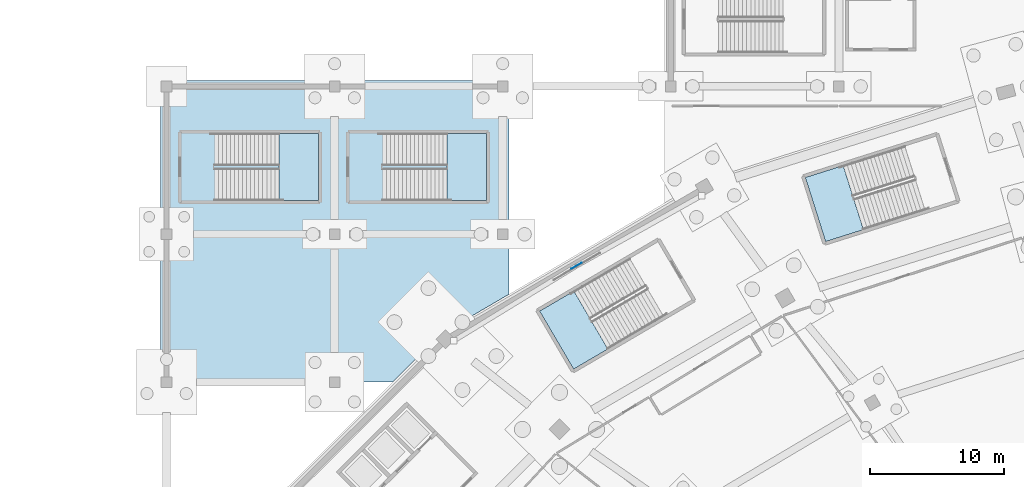
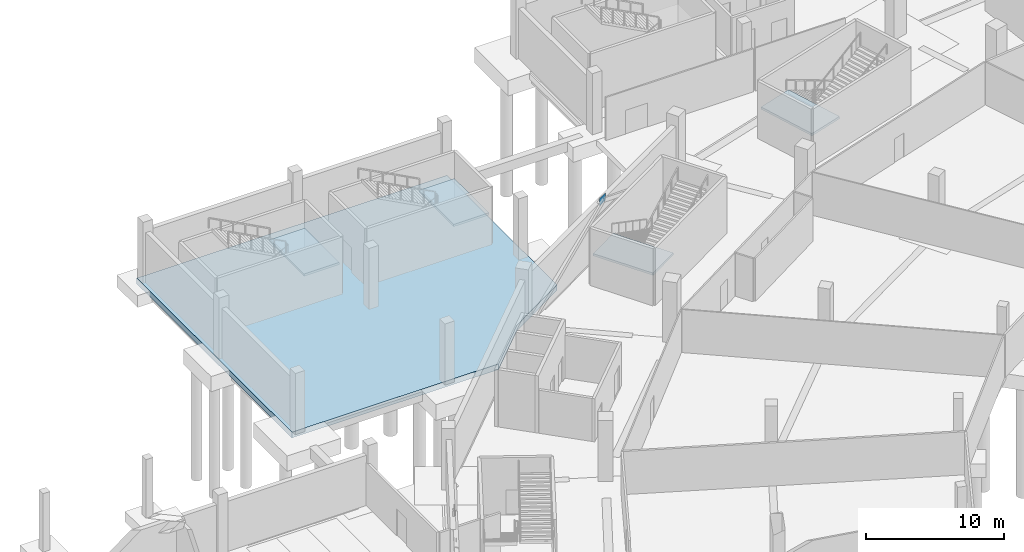
# One storey, part 26 of 74: 5 slabs, 1 plate, 4 elements without a shape of their own.
"""IFC4 building model written with IfcOpenShell, lengths in metres."""

from ifc_helpers import new_model, si_unit, direction, frame, origin, origin_2d, place, context, subcontext, project, spatial, polyline, rectangle, outline, extrude, material, layer, layer_set, type_object, element, aggregate, save


model = new_model("IFC4")

# Units and contexts
model_context = context("Model", 3, precision=1e-05, world=origin(), true_north=direction((0.0, 1.0)))
body_context = subcontext(model_context, "Body", "Model", "MODEL_VIEW")
ifc_project = project(units=[si_unit("LENGTHUNIT", "METRE"), si_unit("AREAUNIT", "SQUARE_METRE"), si_unit("VOLUMEUNIT", "CUBIC_METRE"), si_unit("PLANEANGLEUNIT", "RADIAN"), si_unit("MASSUNIT", "GRAM", prefix="KILO")], contexts=[model_context])

# Site, building, storey
site_placement = place(None, origin())
site = spatial("IfcSite", under=ifc_project, at=site_placement, CompositionType="ELEMENT")
building_placement = place(site_placement, origin())
building = spatial("IfcBuilding", under=site, at=building_placement, Name="Zlatoyarsky Gate Stadium", CompositionType="ELEMENT")
storey_placement = place(building_placement, frame((0.0, 0.0, -5.39990234375)))
storey = spatial("IfcBuildingStorey", under=building, at=storey_placement, Name="B1", CompositionType="ELEMENT", Elevation=-5.39990234375)

# Slab
ifc_material_1 = material(Name="Concrete C35/45", Category="concrete")
ifc_layer_1 = layer(ifc_material_1, 0.5)
ifc_layer_set_1 = layer_set([ifc_layer_1], Name="Concrete C35/45")
slab_type_1 = type_object("IfcSlabType", Name="CONCRETE BASE SLAB 500", PredefinedType="BASESLAB", material=ifc_layer_set_1)
slab_1_placement = place(storey_placement, frame((0.0, 0.0, -0.5)))
element("IfcSlab", 1, at=slab_1_placement, inside=storey, type_object=slab_type_1, Name="B1 wing V6_NW slab", PredefinedType="BASESLAB", context=body_context, shape_type="SweptSolid", body=[
    extrude(outline(polyline([(49.949951171875, 149.449951171875), (49.949951171875, 133.52978515625), (44.885498046875, 130.55810546875), (41.315185546875, 127.0), (24.050048828125, 127.0), (24.050048828125, 149.449951171875), (49.949951171875, 149.449951171875)])), origin(), (0.0, 0.0, 1.0), 0.5),
])

# Stair, slab
ifc_material_2 = material(Name="Concrete C40/50", Category="concrete")
stair_type = type_object("IfcStairType", Name="CONCRETE DOGLEG EXIT STAIR H5400", PredefinedType="TWO_STRAIGHT_RUN_STAIR", material=ifc_material_2)
stair_1_placement = place(storey_placement, origin())
stair_1 = element("IfcStair", 2, at=stair_1_placement, inside=storey, type_object=stair_type, Name="B1 Exit Stair ST-05", PredefinedType="TWO_STRAIGHT_RUN_STAIR")
ifc_layer_2 = layer(ifc_material_2, 0.199951171875)
ifc_layer_set_2 = layer_set([ifc_layer_2], Name="Concrete C40/50")
slab_type_2 = type_object("IfcSlabType", Name="CONCRETE STAIR LANDING SLAB 200", PredefinedType="LANDING", material=ifc_layer_set_2)
slab_2_placement = place(storey_placement, frame((0.0, 0.0, 2.5)))
slab_2 = element("IfcSlab", 3, at=slab_2_placement, type_object=slab_type_2, Name="ST-DG54 landing 1", PredefinedType="LANDING", context=body_context, shape_type="SweptSolid", body=[
    extrude(outline(polyline([(54.792724609375, 133.778076171875), (52.247314453125, 132.287109375), (54.774658203125, 127.972900390625), (57.320068359375, 129.4638671875), (54.792724609375, 133.778076171875)])), origin(), (0.0, 0.0, 1.0), 0.199951171875),
])
aggregate(stair_1, [slab_2])

stair_2_placement = place(storey_placement, origin())
stair_2 = element("IfcStair", 4, at=stair_2_placement, inside=storey, type_object=stair_type, Name="B1 Exit Stair ST-14", PredefinedType="TWO_STRAIGHT_RUN_STAIR")
slab_3_placement = place(storey_placement, frame((0.0, 0.0, 2.5)))
slab_3 = element("IfcSlab", 5, at=slab_3_placement, type_object=slab_type_2, Name="ST-DG54 landing 1", PredefinedType="LANDING", context=body_context, shape_type="SweptSolid", body=[
    extrude(outline(polyline([(74.823486328125, 143.114990234375), (72.0107421875, 142.2255859375), (73.518310546875, 137.458251953125), (76.3310546875, 138.34765625), (74.823486328125, 143.114990234375)])), origin(), (0.0, 0.0, 1.0), 0.199951171875),
])
aggregate(stair_2, [slab_3])

stair_3_placement = place(storey_placement, origin())
stair_3 = element("IfcStair", 6, at=stair_3_placement, inside=storey, type_object=stair_type, Name="B1 Exit Stair ST-25", PredefinedType="TWO_STRAIGHT_RUN_STAIR")
slab_4_placement = place(storey_placement, frame((0.0, 0.0, 2.5)))
slab_4 = element("IfcSlab", 7, at=slab_4_placement, type_object=slab_type_2, Name="ST-DG54 landing 1", PredefinedType="LANDING", context=body_context, shape_type="SweptSolid", body=[
    extrude(outline(polyline([(32.85009765625, 140.5), (35.800048828125, 140.5), (35.800048828125, 145.5), (32.85009765625, 145.5), (32.85009765625, 140.5)])), origin(), (0.0, 0.0, 1.0), 0.199951171875),
])
aggregate(stair_3, [slab_4])

stair_4_placement = place(storey_placement, origin())
stair_4 = element("IfcStair", 8, at=stair_4_placement, inside=storey, type_object=stair_type, Name="B1 Exit Stair ST-26", PredefinedType="TWO_STRAIGHT_RUN_STAIR")
slab_5_placement = place(storey_placement, frame((0.0, 0.0, 2.5)))
slab_5 = element("IfcSlab", 9, at=slab_5_placement, type_object=slab_type_2, Name="ST-DG54 landing 1", PredefinedType="LANDING", context=body_context, shape_type="SweptSolid", body=[
    extrude(outline(polyline([(45.35009765625, 140.5), (48.300048828125, 140.5), (48.300048828125, 145.5), (45.35009765625, 145.5), (45.35009765625, 140.5)])), origin(), (0.0, 0.0, 1.0), 0.199951171875),
])
aggregate(stair_4, [slab_5])

# Plate
ifc_material_3 = material(Name="Steel S355", Category="steel")
ifc_layer_3 = layer(ifc_material_3, 0.02001953125)
ifc_layer_set_3 = layer_set([ifc_layer_3], Name="Steel S355")
plate_type = type_object("IfcPlateType", Name="STEEL BRACE GUSSET PLATE 20", PredefinedType="USERDEFINED", material=ifc_layer_set_3)
plate_placement = place(storey_placement, frame((54.980712890625, 135.656494140625, 4.155029296875), z_axis=(0.0, 0.0, 1.0), x_axis=(-0.862847886208, -0.505463673537, 0.0)))
element("IfcPlate", 10, at=plate_placement, inside=storey, type_object=plate_type, Name="Chevron brace gusset plate ND-BR1 3", ObjectType="GUSSET PLATE", PredefinedType="USERDEFINED", context=body_context, shape_type="SweptSolid", body=[
    extrude(rectangle(XDim=0.89990234375, YDim=0.02001953125, at=origin_2d()), origin(), (0.0, 0.0, 1.0), 0.64990234375),
])

save(model, "model.ifc")
